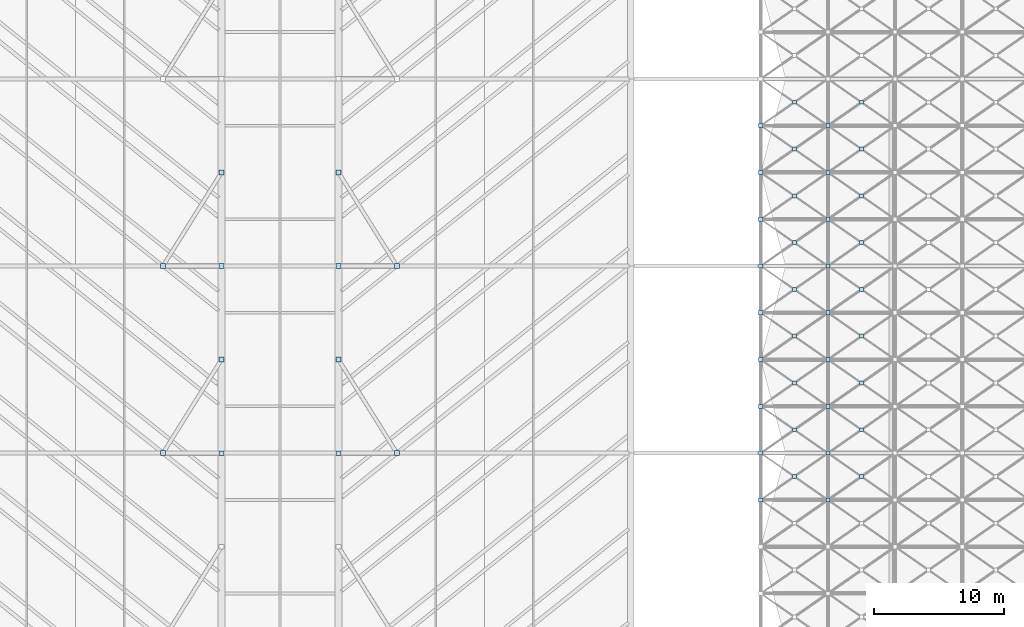
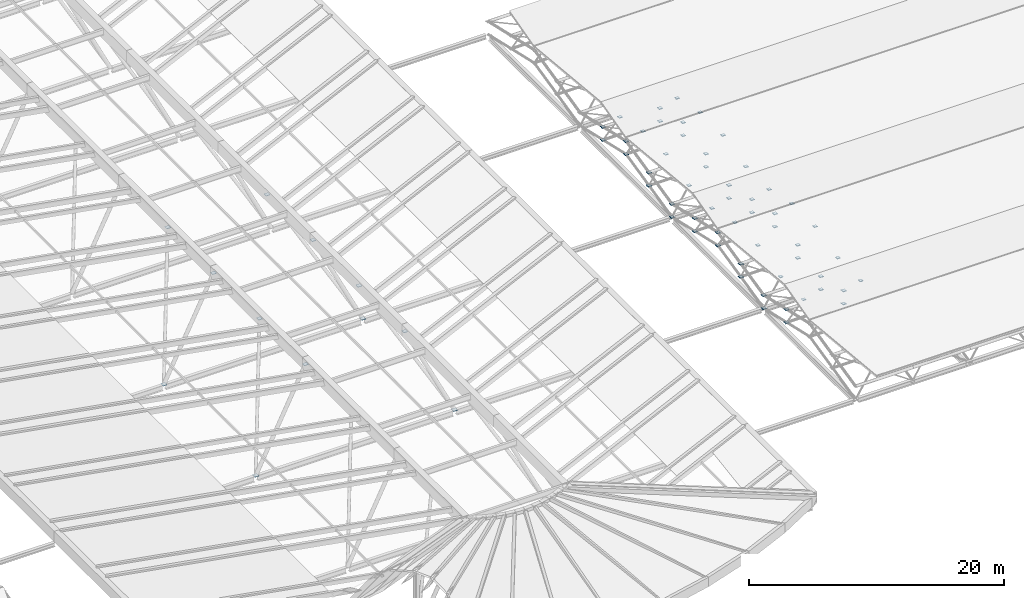
# One storey, part 81 of 110: 66 plates.
"""IFC4 building model written with IfcOpenShell, lengths in metres."""

from ifc_helpers import new_model, si_unit, direction, frame, origin, origin_2d, place, context, subcontext, project, spatial, rectangle, extrude, material, layer, layer_set, type_object, element, save


model = new_model("IFC4")

# Units and contexts
model_context = context("Model", 3, precision=1e-05, world=origin(), true_north=direction((0.0, 1.0)))
body_context = subcontext(model_context, "Body", "Model", "MODEL_VIEW")
ifc_project = project(units=[si_unit("LENGTHUNIT", "METRE"), si_unit("AREAUNIT", "SQUARE_METRE"), si_unit("VOLUMEUNIT", "CUBIC_METRE"), si_unit("PLANEANGLEUNIT", "RADIAN"), si_unit("MASSUNIT", "GRAM", prefix="KILO")], contexts=[model_context])

# Site, building, storey
site_placement = place(None, origin())
site = spatial("IfcSite", under=ifc_project, at=site_placement, CompositionType="ELEMENT")
building_placement = place(site_placement, origin())
building = spatial("IfcBuilding", under=site, at=building_placement, Name="Tamarisk Ironworks Central Station", CompositionType="ELEMENT")
storey_placement = place(building_placement, frame((0.0, 0.0, 17.39990234375)))
storey = spatial("IfcBuildingStorey", under=building, at=storey_placement, Name="L03", CompositionType="ELEMENT", Elevation=17.39990234375)

# Plates
ifc_material_1 = material(Name="Structural steel S355J2H", Category="steel")
ifc_layer_1 = layer(ifc_material_1, 0.02587890625)
ifc_layer_set_1 = layer_set([ifc_layer_1], Name="Structural steel S355J2H")
plate_type_1 = type_object("IfcPlateType", Name="PL-ND26", PredefinedType="SHEET", material=ifc_layer_set_1)
for number, where, z_axis, x_axis, name in (
    (1, (118.0, 32.39990234375, 0.342041015625), (0.0, 0.0, 1.0), (1.0, 0.0, 0.0), "Space-frame collector node plate 0520"),
    (2, (123.166748046875, 32.39990234375, 0.342041015625), (0.0, 0.0, 1.0), (1.0, 0.0, 0.0), "Space-frame collector node plate 0521"),
):
    element("IfcPlate", number, at=place(storey_placement, frame(where, z_axis=z_axis, x_axis=x_axis)), inside=storey, type_object=plate_type_1, Name=name, PredefinedType="SHEET", context=body_context, shape_type="SweptSolid", body=[
        extrude(rectangle(XDim=0.320068359375, YDim=0.320068359375, at=origin_2d()), origin(), (0.0, 0.0, 1.0), 0.02587890625),
    ])
plate_1_placement = place(storey_placement, frame((120.583251953125, 34.199951171875, -0.6953125), z_axis=(0.0, 0.0, 1.0), x_axis=(1.0, 0.0, 0.0)))
element("IfcPlate", 3, at=plate_1_placement, inside=storey, type_object=plate_type_1, Name="Space-frame X-brace crossing gusset plate 0522", PredefinedType="SHEET", context=body_context, shape_type="SweptSolid", body=[
    extrude(rectangle(XDim=0.300048828125, YDim=0.300048828125, at=origin_2d()), origin(), (0.0, 0.0, 1.0), 0.02587890625),
])
for number, where, z_axis, x_axis, name in (
    (4, (118.0, 32.39990234375, -0.907958984375), (0.0, 0.0, 1.0), (1.0, 0.0, 0.0), "Space-frame collector node plate 0523"),
    (5, (123.166748046875, 32.39990234375, -0.907958984375), (0.0, 0.0, 1.0), (1.0, 0.0, 0.0), "Space-frame collector node plate 0524"),
    (6, (118.0, 36.0, -0.48291015625), (0.0, 0.0, 1.0), (1.0, 0.0, 0.0), "Space-frame collector node plate 0525"),
    (7, (123.166748046875, 36.0, -0.48291015625), (0.0, 0.0, 1.0), (1.0, 0.0, 0.0), "Space-frame collector node plate 0526"),
):
    element("IfcPlate", number, at=place(storey_placement, frame(where, z_axis=z_axis, x_axis=x_axis)), inside=storey, type_object=plate_type_1, Name=name, PredefinedType="SHEET", context=body_context, shape_type="SweptSolid", body=[
        extrude(rectangle(XDim=0.320068359375, YDim=0.320068359375, at=origin_2d()), origin(), (0.0, 0.0, 1.0), 0.02587890625),
    ])
for number, where, z_axis, x_axis, name in (
    (8, (125.75, 34.199951171875, -0.6953125), (0.0, 0.0, 1.0), (1.0, 0.0, 0.0), "Space-frame X-brace crossing gusset plate 0536"),
    (9, (120.583251953125, 37.800048828125, -0.6953125), (0.0, 0.0, 1.0), (1.0, 0.0, 0.0), "Space-frame X-brace crossing gusset plate 0655"),
):
    element("IfcPlate", number, at=place(storey_placement, frame(where, z_axis=z_axis, x_axis=x_axis)), inside=storey, type_object=plate_type_1, Name=name, PredefinedType="SHEET", context=body_context, shape_type="SweptSolid", body=[
        extrude(rectangle(XDim=0.300048828125, YDim=0.300048828125, at=origin_2d()), origin(), (0.0, 0.0, 1.0), 0.02587890625),
    ])
for number, where, z_axis, x_axis, name in (
    (10, (118.0, 36.0, -1.73291015625), (0.0, 0.0, 1.0), (1.0, 0.0, 0.0), "Space-frame collector node plate 0656"),
    (11, (123.166748046875, 36.0, -1.73291015625), (0.0, 0.0, 1.0), (1.0, 0.0, 0.0), "Space-frame collector node plate 0657"),
    (12, (118.0, 39.60009765625, 0.342041015625), (0.0, 0.0, 1.0), (1.0, 0.0, 0.0), "Space-frame collector node plate 0658"),
    (13, (123.166748046875, 39.60009765625, 0.342041015625), (0.0, 0.0, 1.0), (1.0, 0.0, 0.0), "Space-frame collector node plate 0659"),
):
    element("IfcPlate", number, at=place(storey_placement, frame(where, z_axis=z_axis, x_axis=x_axis)), inside=storey, type_object=plate_type_1, Name=name, PredefinedType="SHEET", context=body_context, shape_type="SweptSolid", body=[
        extrude(rectangle(XDim=0.320068359375, YDim=0.320068359375, at=origin_2d()), origin(), (0.0, 0.0, 1.0), 0.02587890625),
    ])
plate_2_placement = place(storey_placement, frame((120.583251953125, 41.39990234375, 0.129638671875), z_axis=(0.0, 0.0, 1.0), x_axis=(1.0, 0.0, 0.0)))
element("IfcPlate", 14, at=plate_2_placement, inside=storey, type_object=plate_type_1, Name="Space-frame X-brace crossing gusset plate 0660", PredefinedType="SHEET", context=body_context, shape_type="SweptSolid", body=[
    extrude(rectangle(XDim=0.300048828125, YDim=0.300048828125, at=origin_2d()), origin(), (0.0, 0.0, 1.0), 0.02587890625),
])
for number, where, z_axis, x_axis, name in (
    (15, (118.0, 39.60009765625, -0.907958984375), (0.0, 0.0, 1.0), (1.0, 0.0, 0.0), "Space-frame collector node plate 0661"),
    (16, (123.166748046875, 39.60009765625, -0.907958984375), (0.0, 0.0, 1.0), (1.0, 0.0, 0.0), "Space-frame collector node plate 0662"),
    (17, (118.0, 43.199951171875, 1.167236328125), (0.0, 0.0, 1.0), (1.0, 0.0, 0.0), "Space-frame collector node plate 0663"),
    (18, (123.166748046875, 43.199951171875, 1.167236328125), (0.0, 0.0, 1.0), (1.0, 0.0, 0.0), "Space-frame collector node plate 0664"),
):
    element("IfcPlate", number, at=place(storey_placement, frame(where, z_axis=z_axis, x_axis=x_axis)), inside=storey, type_object=plate_type_1, Name=name, PredefinedType="SHEET", context=body_context, shape_type="SweptSolid", body=[
        extrude(rectangle(XDim=0.320068359375, YDim=0.320068359375, at=origin_2d()), origin(), (0.0, 0.0, 1.0), 0.02587890625),
    ])
plate_3_placement = place(storey_placement, frame((120.583251953125, 45.0, 0.129638671875), z_axis=(0.0, 0.0, 1.0), x_axis=(1.0, 0.0, 0.0)))
element("IfcPlate", 19, at=plate_3_placement, inside=storey, type_object=plate_type_1, Name="Space-frame X-brace crossing gusset plate 0665", PredefinedType="SHEET", context=body_context, shape_type="SweptSolid", body=[
    extrude(rectangle(XDim=0.300048828125, YDim=0.300048828125, at=origin_2d()), origin(), (0.0, 0.0, 1.0), 0.02587890625),
])
for number, where, z_axis, x_axis, name in (
    (20, (118.0, 43.199951171875, -0.082763671875), (0.0, 0.0, 1.0), (1.0, 0.0, 0.0), "Space-frame collector node plate 0666"),
    (21, (123.166748046875, 43.199951171875, -0.082763671875), (0.0, 0.0, 1.0), (1.0, 0.0, 0.0), "Space-frame collector node plate 0667"),
    (22, (118.0, 46.800048828125, 0.342041015625), (0.0, 0.0, 1.0), (1.0, 0.0, 0.0), "Space-frame collector node plate 0668"),
    (23, (123.166748046875, 46.800048828125, 0.342041015625), (0.0, 0.0, 1.0), (1.0, 0.0, 0.0), "Space-frame collector node plate 0669"),
):
    element("IfcPlate", number, at=place(storey_placement, frame(where, z_axis=z_axis, x_axis=x_axis)), inside=storey, type_object=plate_type_1, Name=name, PredefinedType="SHEET", context=body_context, shape_type="SweptSolid", body=[
        extrude(rectangle(XDim=0.320068359375, YDim=0.320068359375, at=origin_2d()), origin(), (0.0, 0.0, 1.0), 0.02587890625),
    ])
plate_4_placement = place(storey_placement, frame((120.583251953125, 48.60009765625, -0.6953125), z_axis=(0.0, 0.0, 1.0), x_axis=(1.0, 0.0, 0.0)))
element("IfcPlate", 24, at=plate_4_placement, inside=storey, type_object=plate_type_1, Name="Space-frame X-brace crossing gusset plate 0670", PredefinedType="SHEET", context=body_context, shape_type="SweptSolid", body=[
    extrude(rectangle(XDim=0.300048828125, YDim=0.300048828125, at=origin_2d()), origin(), (0.0, 0.0, 1.0), 0.02587890625),
])
for number, where, z_axis, x_axis, name in (
    (25, (118.0, 46.800048828125, -0.907958984375), (0.0, 0.0, 1.0), (1.0, 0.0, 0.0), "Space-frame collector node plate 0671"),
    (26, (123.166748046875, 46.800048828125, -0.907958984375), (0.0, 0.0, 1.0), (1.0, 0.0, 0.0), "Space-frame collector node plate 0672"),
    (27, (118.0, 50.39990234375, -0.48291015625), (0.0, 0.0, 1.0), (1.0, 0.0, 0.0), "Space-frame collector node plate 0673"),
    (28, (123.166748046875, 50.39990234375, -0.48291015625), (0.0, 0.0, 1.0), (1.0, 0.0, 0.0), "Space-frame collector node plate 0674"),
):
    element("IfcPlate", number, at=place(storey_placement, frame(where, z_axis=z_axis, x_axis=x_axis)), inside=storey, type_object=plate_type_1, Name=name, PredefinedType="SHEET", context=body_context, shape_type="SweptSolid", body=[
        extrude(rectangle(XDim=0.320068359375, YDim=0.320068359375, at=origin_2d()), origin(), (0.0, 0.0, 1.0), 0.02587890625),
    ])
for number, where, z_axis, x_axis, name in (
    (29, (125.75, 37.800048828125, -0.6953125), (0.0, 0.0, 1.0), (1.0, 0.0, 0.0), "Space-frame X-brace crossing gusset plate 0675"),
    (30, (125.75, 41.39990234375, 0.129638671875), (0.0, 0.0, 1.0), (1.0, 0.0, 0.0), "Space-frame X-brace crossing gusset plate 0678"),
    (31, (125.75, 45.0, 0.129638671875), (0.0, 0.0, 1.0), (1.0, 0.0, 0.0), "Space-frame X-brace crossing gusset plate 0681"),
    (32, (125.75, 48.60009765625, -0.6953125), (0.0, 0.0, 1.0), (1.0, 0.0, 0.0), "Space-frame X-brace crossing gusset plate 0684"),
    (33, (120.583251953125, 52.199951171875, -0.6953125), (0.0, 0.0, 1.0), (1.0, 0.0, 0.0), "Space-frame X-brace crossing gusset plate 0807"),
):
    element("IfcPlate", number, at=place(storey_placement, frame(where, z_axis=z_axis, x_axis=x_axis)), inside=storey, type_object=plate_type_1, Name=name, PredefinedType="SHEET", context=body_context, shape_type="SweptSolid", body=[
        extrude(rectangle(XDim=0.300048828125, YDim=0.300048828125, at=origin_2d()), origin(), (0.0, 0.0, 1.0), 0.02587890625),
    ])
for number, where, z_axis, x_axis, name in (
    (34, (118.0, 50.39990234375, -1.73291015625), (0.0, 0.0, 1.0), (1.0, 0.0, 0.0), "Space-frame collector node plate 0808"),
    (35, (123.166748046875, 50.39990234375, -1.73291015625), (0.0, 0.0, 1.0), (1.0, 0.0, 0.0), "Space-frame collector node plate 0809"),
    (36, (118.0, 54.0, 0.342041015625), (0.0, 0.0, 1.0), (1.0, 0.0, 0.0), "Space-frame collector node plate 0810"),
    (37, (123.166748046875, 54.0, 0.342041015625), (0.0, 0.0, 1.0), (1.0, 0.0, 0.0), "Space-frame collector node plate 0811"),
):
    element("IfcPlate", number, at=place(storey_placement, frame(where, z_axis=z_axis, x_axis=x_axis)), inside=storey, type_object=plate_type_1, Name=name, PredefinedType="SHEET", context=body_context, shape_type="SweptSolid", body=[
        extrude(rectangle(XDim=0.320068359375, YDim=0.320068359375, at=origin_2d()), origin(), (0.0, 0.0, 1.0), 0.02587890625),
    ])
plate_5_placement = place(storey_placement, frame((120.583251953125, 55.800048828125, 0.129638671875), z_axis=(0.0, 0.0, 1.0), x_axis=(1.0, 0.0, 0.0)))
element("IfcPlate", 38, at=plate_5_placement, inside=storey, type_object=plate_type_1, Name="Space-frame X-brace crossing gusset plate 0812", PredefinedType="SHEET", context=body_context, shape_type="SweptSolid", body=[
    extrude(rectangle(XDim=0.300048828125, YDim=0.300048828125, at=origin_2d()), origin(), (0.0, 0.0, 1.0), 0.02587890625),
])
for number, where, z_axis, x_axis, name in (
    (39, (118.0, 54.0, -0.907958984375), (0.0, 0.0, 1.0), (1.0, 0.0, 0.0), "Space-frame collector node plate 0813"),
    (40, (123.166748046875, 54.0, -0.907958984375), (0.0, 0.0, 1.0), (1.0, 0.0, 0.0), "Space-frame collector node plate 0814"),
    (41, (118.0, 57.60009765625, 1.167236328125), (0.0, 0.0, 1.0), (1.0, 0.0, 0.0), "Space-frame collector node plate 0815"),
    (42, (123.166748046875, 57.60009765625, 1.167236328125), (0.0, 0.0, 1.0), (1.0, 0.0, 0.0), "Space-frame collector node plate 0816"),
):
    element("IfcPlate", number, at=place(storey_placement, frame(where, z_axis=z_axis, x_axis=x_axis)), inside=storey, type_object=plate_type_1, Name=name, PredefinedType="SHEET", context=body_context, shape_type="SweptSolid", body=[
        extrude(rectangle(XDim=0.320068359375, YDim=0.320068359375, at=origin_2d()), origin(), (0.0, 0.0, 1.0), 0.02587890625),
    ])
plate_6_placement = place(storey_placement, frame((120.583251953125, 59.39990234375, 0.129638671875), z_axis=(0.0, 0.0, 1.0), x_axis=(1.0, 0.0, 0.0)))
element("IfcPlate", 43, at=plate_6_placement, inside=storey, type_object=plate_type_1, Name="Space-frame X-brace crossing gusset plate 0817", PredefinedType="SHEET", context=body_context, shape_type="SweptSolid", body=[
    extrude(rectangle(XDim=0.300048828125, YDim=0.300048828125, at=origin_2d()), origin(), (0.0, 0.0, 1.0), 0.02587890625),
])
for number, where, z_axis, x_axis, name in (
    (44, (118.0, 57.60009765625, -0.082763671875), (0.0, 0.0, 1.0), (1.0, 0.0, 0.0), "Space-frame collector node plate 0818"),
    (45, (123.166748046875, 57.60009765625, -0.082763671875), (0.0, 0.0, 1.0), (1.0, 0.0, 0.0), "Space-frame collector node plate 0819"),
    (46, (118.0, 61.199951171875, 0.342041015625), (0.0, 0.0, 1.0), (1.0, 0.0, 0.0), "Space-frame collector node plate 0820"),
    (47, (123.166748046875, 61.199951171875, 0.342041015625), (0.0, 0.0, 1.0), (1.0, 0.0, 0.0), "Space-frame collector node plate 0821"),
):
    element("IfcPlate", number, at=place(storey_placement, frame(where, z_axis=z_axis, x_axis=x_axis)), inside=storey, type_object=plate_type_1, Name=name, PredefinedType="SHEET", context=body_context, shape_type="SweptSolid", body=[
        extrude(rectangle(XDim=0.320068359375, YDim=0.320068359375, at=origin_2d()), origin(), (0.0, 0.0, 1.0), 0.02587890625),
    ])
plate_7_placement = place(storey_placement, frame((120.583251953125, 63.0, -0.6953125), z_axis=(0.0, 0.0, 1.0), x_axis=(1.0, 0.0, 0.0)))
element("IfcPlate", 48, at=plate_7_placement, inside=storey, type_object=plate_type_1, Name="Space-frame X-brace crossing gusset plate 0822", PredefinedType="SHEET", context=body_context, shape_type="SweptSolid", body=[
    extrude(rectangle(XDim=0.300048828125, YDim=0.300048828125, at=origin_2d()), origin(), (0.0, 0.0, 1.0), 0.02587890625),
])
for number, where, z_axis, x_axis, name in (
    (49, (118.0, 61.199951171875, -0.907958984375), (0.0, 0.0, 1.0), (1.0, 0.0, 0.0), "Space-frame collector node plate 0823"),
    (50, (123.166748046875, 61.199951171875, -0.907958984375), (0.0, 0.0, 1.0), (1.0, 0.0, 0.0), "Space-frame collector node plate 0824"),
):
    element("IfcPlate", number, at=place(storey_placement, frame(where, z_axis=z_axis, x_axis=x_axis)), inside=storey, type_object=plate_type_1, Name=name, PredefinedType="SHEET", context=body_context, shape_type="SweptSolid", body=[
        extrude(rectangle(XDim=0.320068359375, YDim=0.320068359375, at=origin_2d()), origin(), (0.0, 0.0, 1.0), 0.02587890625),
    ])
for number, where, z_axis, x_axis, name in (
    (51, (125.75, 52.199951171875, -0.6953125), (0.0, 0.0, 1.0), (1.0, 0.0, 0.0), "Space-frame X-brace crossing gusset plate 0827"),
    (52, (125.75, 55.800048828125, 0.129638671875), (0.0, 0.0, 1.0), (1.0, 0.0, 0.0), "Space-frame X-brace crossing gusset plate 0830"),
    (53, (125.75, 59.39990234375, 0.129638671875), (0.0, 0.0, 1.0), (1.0, 0.0, 0.0), "Space-frame X-brace crossing gusset plate 0833"),
    (54, (125.75, 63.0, -0.6953125), (0.0, 0.0, 1.0), (1.0, 0.0, 0.0), "Space-frame X-brace crossing gusset plate 0836"),
):
    element("IfcPlate", number, at=place(storey_placement, frame(where, z_axis=z_axis, x_axis=x_axis)), inside=storey, type_object=plate_type_1, Name=name, PredefinedType="SHEET", context=body_context, shape_type="SweptSolid", body=[
        extrude(rectangle(XDim=0.300048828125, YDim=0.300048828125, at=origin_2d()), origin(), (0.0, 0.0, 1.0), 0.02587890625),
    ])
ifc_material_2 = material(Name="Structural steel S355J2", Category="steel")
ifc_layer_2 = layer(ifc_material_2, 0.0380859375)
ifc_layer_set_2 = layer_set([ifc_layer_2], Name="Structural steel S355J2")
plate_type_2 = type_object("IfcPlateType", Name="PL-ND38", PredefinedType="SHEET", material=ifc_layer_set_2)
plate_8_placement = place(storey_placement, frame((76.5, 43.199951171875, 7.43115234375), z_axis=(0.0, 0.0, 1.0), x_axis=(1.0, 0.0, 0.0)))
element("IfcPlate", 55, at=plate_8_placement, inside=storey, type_object=plate_type_2, Name="Concourse spine diagonal V-strut top gusset 019", PredefinedType="SHEET", context=body_context, shape_type="SweptSolid", body=[
    extrude(rectangle(XDim=0.360107421875, YDim=0.360107421875, at=origin_2d()), origin(), (0.0, 0.0, 1.0), 0.0380859375),
])
plate_9_placement = place(storey_placement, frame((72.0, 36.0, -1.658935546875), z_axis=(0.0, 0.0, 1.0), x_axis=(1.0, 0.0, 0.0)))
element("IfcPlate", 56, at=plate_9_placement, inside=storey, type_object=plate_type_2, Name="Concourse V-strut base pin gusset 020", PredefinedType="SHEET", context=body_context, shape_type="SweptSolid", body=[
    extrude(rectangle(XDim=0.3798828125, YDim=0.3798828125, at=origin_2d()), origin(), (0.0, 0.0, 1.0), 0.0380859375),
])
for number, where, z_axis, x_axis, name in (
    (57, (76.5, 36.0, 7.43115234375), (0.0, 0.0, 1.0), (1.0, 0.0, 0.0), "Concourse V-strut spine gusset 021"),
    (58, (85.5, 43.199951171875, 7.43115234375), (0.0, 0.0, 1.0), (1.0, 0.0, 0.0), "Concourse spine diagonal V-strut top gusset 022"),
):
    element("IfcPlate", number, at=place(storey_placement, frame(where, z_axis=z_axis, x_axis=x_axis)), inside=storey, type_object=plate_type_2, Name=name, PredefinedType="SHEET", context=body_context, shape_type="SweptSolid", body=[
        extrude(rectangle(XDim=0.360107421875, YDim=0.360107421875, at=origin_2d()), origin(), (0.0, 0.0, 1.0), 0.0380859375),
    ])
plate_10_placement = place(storey_placement, frame((90.0, 36.0, -1.658935546875), z_axis=(0.0, 0.0, 1.0), x_axis=(1.0, 0.0, 0.0)))
element("IfcPlate", 59, at=plate_10_placement, inside=storey, type_object=plate_type_2, Name="Concourse V-strut base pin gusset 023", PredefinedType="SHEET", context=body_context, shape_type="SweptSolid", body=[
    extrude(rectangle(XDim=0.3798828125, YDim=0.3798828125, at=origin_2d()), origin(), (0.0, 0.0, 1.0), 0.0380859375),
])
for number, where, z_axis, x_axis, name in (
    (60, (85.5, 36.0, 7.43115234375), (0.0, 0.0, 1.0), (1.0, 0.0, 0.0), "Concourse V-strut spine gusset 024"),
    (61, (76.5, 57.60009765625, 7.43115234375), (0.0, 0.0, 1.0), (1.0, 0.0, 0.0), "Concourse spine diagonal V-strut top gusset 025"),
):
    element("IfcPlate", number, at=place(storey_placement, frame(where, z_axis=z_axis, x_axis=x_axis)), inside=storey, type_object=plate_type_2, Name=name, PredefinedType="SHEET", context=body_context, shape_type="SweptSolid", body=[
        extrude(rectangle(XDim=0.360107421875, YDim=0.360107421875, at=origin_2d()), origin(), (0.0, 0.0, 1.0), 0.0380859375),
    ])
plate_11_placement = place(storey_placement, frame((72.0, 50.39990234375, -1.658935546875), z_axis=(0.0, 0.0, 1.0), x_axis=(1.0, 0.0, 0.0)))
element("IfcPlate", 62, at=plate_11_placement, inside=storey, type_object=plate_type_2, Name="Concourse V-strut base pin gusset 026", PredefinedType="SHEET", context=body_context, shape_type="SweptSolid", body=[
    extrude(rectangle(XDim=0.3798828125, YDim=0.3798828125, at=origin_2d()), origin(), (0.0, 0.0, 1.0), 0.0380859375),
])
for number, where, z_axis, x_axis, name in (
    (63, (76.5, 50.39990234375, 7.43115234375), (0.0, 0.0, 1.0), (1.0, 0.0, 0.0), "Concourse V-strut spine gusset 027"),
    (64, (85.5, 57.60009765625, 7.43115234375), (0.0, 0.0, 1.0), (1.0, 0.0, 0.0), "Concourse spine diagonal V-strut top gusset 028"),
):
    element("IfcPlate", number, at=place(storey_placement, frame(where, z_axis=z_axis, x_axis=x_axis)), inside=storey, type_object=plate_type_2, Name=name, PredefinedType="SHEET", context=body_context, shape_type="SweptSolid", body=[
        extrude(rectangle(XDim=0.360107421875, YDim=0.360107421875, at=origin_2d()), origin(), (0.0, 0.0, 1.0), 0.0380859375),
    ])
plate_12_placement = place(storey_placement, frame((90.0, 50.39990234375, -1.658935546875), z_axis=(0.0, 0.0, 1.0), x_axis=(1.0, 0.0, 0.0)))
element("IfcPlate", 65, at=plate_12_placement, inside=storey, type_object=plate_type_2, Name="Concourse V-strut base pin gusset 029", PredefinedType="SHEET", context=body_context, shape_type="SweptSolid", body=[
    extrude(rectangle(XDim=0.3798828125, YDim=0.3798828125, at=origin_2d()), origin(), (0.0, 0.0, 1.0), 0.0380859375),
])
plate_13_placement = place(storey_placement, frame((85.5, 50.39990234375, 7.43115234375), z_axis=(0.0, 0.0, 1.0), x_axis=(1.0, 0.0, 0.0)))
element("IfcPlate", 66, at=plate_13_placement, inside=storey, type_object=plate_type_2, Name="Concourse V-strut spine gusset 030", PredefinedType="SHEET", context=body_context, shape_type="SweptSolid", body=[
    extrude(rectangle(XDim=0.360107421875, YDim=0.360107421875, at=origin_2d()), origin(), (0.0, 0.0, 1.0), 0.0380859375),
])

save(model, "model.ifc")
